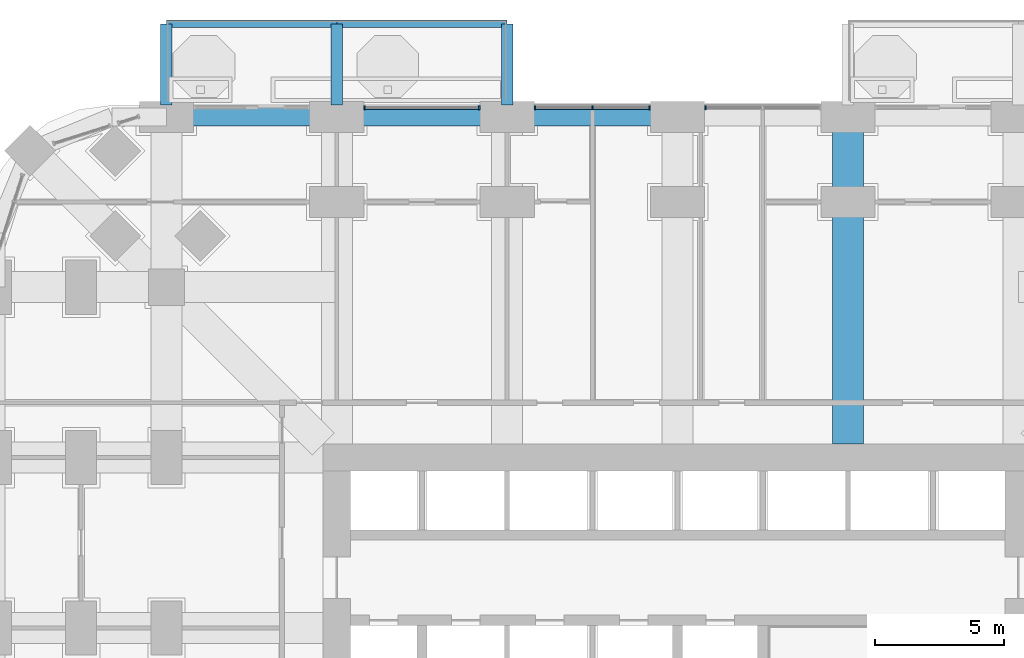
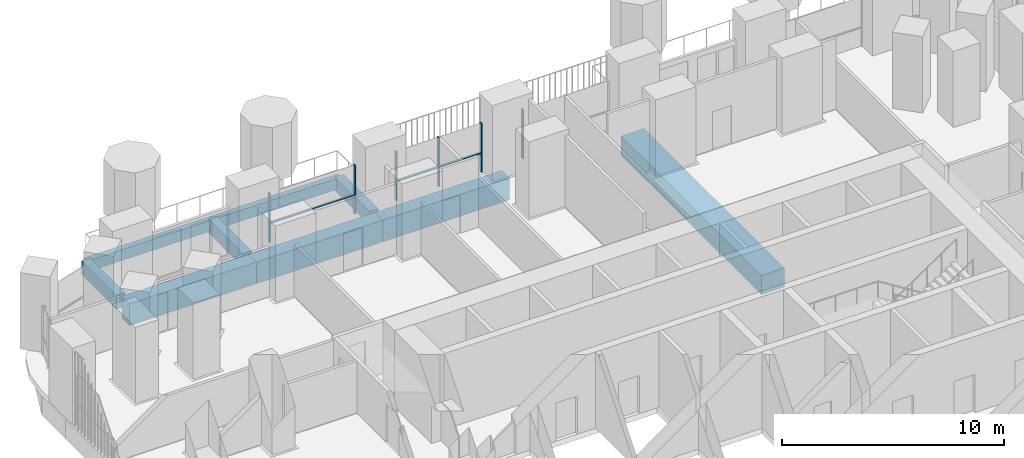
# One storey, part 8 of 27: 9 beams, 9 members, 3 elements without a shape of their own.
"""IFC4 building model written with IfcOpenShell, lengths in metres."""

from ifc_helpers import new_model, si_unit, direction, frame, origin, origin_2d, place, context, subcontext, project, spatial, rectangle, extrude, material, material_profile, profile_set, type_object, element, aggregate, save


model = new_model("IFC4")

# Units and contexts
model_context = context("Model", 3, precision=1e-05, world=origin(), true_north=direction((0.0, 1.0)))
body_context = subcontext(model_context, "Body", "Model", "MODEL_VIEW")
ifc_project = project(units=[si_unit("LENGTHUNIT", "METRE"), si_unit("AREAUNIT", "SQUARE_METRE"), si_unit("VOLUMEUNIT", "CUBIC_METRE"), si_unit("PLANEANGLEUNIT", "RADIAN"), si_unit("MASSUNIT", "GRAM", prefix="KILO")], contexts=[model_context])

# Site, building, storey
site_placement = place(None, origin())
site = spatial("IfcSite", under=ifc_project, at=site_placement, CompositionType="ELEMENT")
building_placement = place(site_placement, origin())
building = spatial("IfcBuilding", under=site, at=building_placement, Name="Cobogo Forest Laboratory Tower", CompositionType="ELEMENT")
storey_placement = place(building_placement, frame((0.0, 0.0, 29.699951171875)))
storey = spatial("IfcBuildingStorey", under=building, at=storey_placement, Name="L06", CompositionType="ELEMENT", Elevation=29.699951171875)

# Beams
ifc_material_1 = material(Name="Concrete HA-40 (C40/50)", Category="concrete")
ifc_material_profile_1 = material_profile(ifc_material_1, rectangle(XDim=0.449951171875, YDim=0.75, at=origin_2d()), Name="RC 450x750")
ifc_profile_set_1 = profile_set([ifc_material_profile_1], Name="Concrete HA-40 (C40/50)")
beam_type_1 = type_object("IfcBeamType", Name="Balcony cantilever beam 450x750", PredefinedType="BEAM", material=ifc_profile_set_1)
for number, where, z_axis, x_axis, name in (
    (1, (6.60009765625, 46.64990234375, -0.625), (0.0, 1.0, 0.0), (-1.0, 0.0, 0.0), "CB1 BAL-N1-C1 L06"),
    (2, (13.199951171875, 46.64990234375, -0.625), (0.0, 1.0, 0.0), (-1.0, 0.0, 0.0), "CB1 BAL-N1-C2 L06"),
    (3, (19.800048828125, 46.64990234375, -0.625), (0.0, 1.0, 0.0), (-1.0, 0.0, 0.0), "CB1 BAL-N1-C3 L06"),
):
    element("IfcBeam", number, at=place(storey_placement, frame(where, z_axis=z_axis, x_axis=x_axis)), inside=storey, type_object=beam_type_1, Name=name, PredefinedType="BEAM", context=body_context, shape_type="SweptSolid", body=[
        extrude(rectangle(XDim=0.449951171875, YDim=0.75, at=origin_2d()), origin(), (0.0, 0.0, 1.0), 3.150146484375),
    ])
ifc_material_profile_2 = material_profile(ifc_material_1, rectangle(XDim=0.300048828125, YDim=0.60009765625, at=origin_2d()), Name="RC 300x600")
ifc_profile_set_2 = profile_set([ifc_material_profile_2], Name="Concrete HA-40 (C40/50)")
beam_type_2 = type_object("IfcBeamType", Name="Balcony edge beam 300x600", PredefinedType="BEAM", material=ifc_profile_set_2)
beam_1_placement = place(storey_placement, frame((6.60009765625, 49.800048828125, -0.550048828125), z_axis=(1.0, 0.0, 0.0), x_axis=(0.0, 1.0, 0.0)))
element("IfcBeam", 4, at=beam_1_placement, inside=storey, type_object=beam_type_2, Name="BB1 BAL-N1-T1 L06", PredefinedType="BEAM", context=body_context, shape_type="SweptSolid", body=[
    extrude(rectangle(XDim=0.300048828125, YDim=0.60009765625, at=origin_2d()), origin(), (0.0, 0.0, 1.0), 6.599853515625),
])
beam_2_placement = place(storey_placement, frame((13.199951171875, 49.800048828125, -0.550048828125), z_axis=(1.0, 0.0, 0.0), x_axis=(0.0, 1.0, 0.0)))
element("IfcBeam", 5, at=beam_2_placement, inside=storey, type_object=beam_type_2, Name="BB1 BAL-N1-T2 L06", PredefinedType="BEAM", context=body_context, shape_type="SweptSolid", body=[
    extrude(rectangle(XDim=0.300048828125, YDim=0.60009765625, at=origin_2d()), origin(), (0.0, 0.0, 1.0), 6.60009765625),
])
ifc_material_profile_3 = material_profile(ifc_material_1, rectangle(XDim=1.199951171875, YDim=1.050048828125, at=origin_2d()), Name="RC 1200x1050")
ifc_profile_set_3 = profile_set([ifc_material_profile_3], Name="Concrete HA-40 (C40/50)")
beam_type_3 = type_object("IfcBeamType", Name="Laboratory floor wide beam 1200x1050", PredefinedType="BEAM", material=ifc_profile_set_3)
beam_3_placement = place(storey_placement, frame((33.0, 33.52490234375, -0.824951171875), z_axis=(0.0, 1.0, 0.0), x_axis=(-1.0, 0.0, 0.0)))
element("IfcBeam", 6, at=beam_3_placement, inside=storey, type_object=beam_type_3, Name="RB1 R-6-N L06", PredefinedType="BEAM", context=body_context, shape_type="SweptSolid", body=[
    extrude(rectangle(XDim=1.199951171875, YDim=1.050048828125, at=origin_2d()), origin(), (0.0, 0.0, 1.0), 12.675048828125),
])

# Curtain wall, member
ifc_material_2 = material(Name="Aluminium curtain wall", Category="aluminium")
curtain_wall_type = type_object("IfcCurtainWallType", Name="CW-1 unitised curtain wall, clear glazing, laboratory floors zones A and B", PredefinedType="USERDEFINED", material=ifc_material_2)
curtain_wall_1_placement = place(storey_placement, origin())
curtain_wall_1 = element("IfcCurtainWall", 7, at=curtain_wall_1_placement, inside=storey, type_object=curtain_wall_type, Name="Curtain wall 20 L06", ObjectType="UNITISED CURTAIN WALL", PredefinedType="USERDEFINED")
ifc_material_3 = material(Name="Aluminium mullion", Category="aluminium")
ifc_material_profile_4 = material_profile(ifc_material_3, rectangle(XDim=0.06005859375, YDim=0.159912109375, at=origin_2d()), Name="AL 60x160")
ifc_profile_set_4 = profile_set([ifc_material_profile_4], Name="Aluminium mullion")
member_type_1 = type_object("IfcMemberType", Name="MU-1 aluminium mullion 60x160", PredefinedType="MULLION", material=ifc_profile_set_4)
member_1_placement = place(storey_placement, frame((27.47998046875, 46.550048828125, 0.0), z_axis=(0.0, 0.0, 1.0), x_axis=(-1.0, 0.0, 0.0)))
member_1 = element("IfcMember", 8, at=member_1_placement, type_object=member_type_1, Name="CW-1 mullion 3", PredefinedType="MULLION", context=body_context, shape_type="SweptSolid", body=[
    extrude(rectangle(XDim=0.06005859375, YDim=0.159912109375, at=origin_2d()), origin(), (0.0, 0.0, 1.0), 2.699951171875),
])
aggregate(curtain_wall_1, [member_1])

# Curtain wall, members
curtain_wall_2_placement = place(storey_placement, origin())
curtain_wall_2 = element("IfcCurtainWall", 9, at=curtain_wall_2_placement, inside=storey, type_object=curtain_wall_type, Name="Curtain wall 21 L06", ObjectType="UNITISED CURTAIN WALL", PredefinedType="USERDEFINED")
member_2_placement = place(storey_placement, frame((25.320068359375, 46.550048828125, 0.0), z_axis=(0.0, 0.0, 1.0), x_axis=(-1.0, 0.0, 0.0)))
member_2 = element("IfcMember", 10, at=member_2_placement, type_object=member_type_1, Name="CW-1 mullion 1", PredefinedType="MULLION", context=body_context, shape_type="SweptSolid", body=[
    extrude(rectangle(XDim=0.06005859375, YDim=0.159912109375, at=origin_2d()), origin(), (0.0, 0.0, 1.0), 2.699951171875),
])
member_3_placement = place(storey_placement, frame((23.10009765625, 46.550048828125, 0.0), z_axis=(0.0, 0.0, 1.0), x_axis=(-1.0, 0.0, 0.0)))
member_3 = element("IfcMember", 11, at=member_3_placement, type_object=member_type_1, Name="CW-1 mullion 2", PredefinedType="MULLION", context=body_context, shape_type="SweptSolid", body=[
    extrude(rectangle(XDim=0.06005859375, YDim=0.159912109375, at=origin_2d()), origin(), (0.0, 0.0, 1.0), 2.699951171875),
])
member_4_placement = place(storey_placement, frame((20.8798828125, 46.550048828125, 0.0), z_axis=(0.0, 0.0, 1.0), x_axis=(-1.0, 0.0, 0.0)))
member_4 = element("IfcMember", 12, at=member_4_placement, type_object=member_type_1, Name="CW-1 mullion 3", PredefinedType="MULLION", context=body_context, shape_type="SweptSolid", body=[
    extrude(rectangle(XDim=0.06005859375, YDim=0.159912109375, at=origin_2d()), origin(), (0.0, 0.0, 1.0), 2.699951171875),
])

curtain_wall_3_placement = place(storey_placement, origin())
curtain_wall_3 = element("IfcCurtainWall", 13, at=curtain_wall_3_placement, inside=storey, type_object=curtain_wall_type, Name="Curtain wall 22 L06", ObjectType="UNITISED CURTAIN WALL", PredefinedType="USERDEFINED")
member_5_placement = place(storey_placement, frame((18.719970703125, 46.550048828125, 0.0), z_axis=(0.0, 0.0, 1.0), x_axis=(-1.0, 0.0, 0.0)))
member_5 = element("IfcMember", 14, at=member_5_placement, type_object=member_type_1, Name="CW-1 mullion 1", PredefinedType="MULLION", context=body_context, shape_type="SweptSolid", body=[
    extrude(rectangle(XDim=0.06005859375, YDim=0.159912109375, at=origin_2d()), origin(), (0.0, 0.0, 1.0), 2.699951171875),
])
member_6_placement = place(storey_placement, frame((14.280029296875, 46.550048828125, 0.0), z_axis=(0.0, 0.0, 1.0), x_axis=(-1.0, 0.0, 0.0)))
member_6 = element("IfcMember", 15, at=member_6_placement, type_object=member_type_1, Name="CW-1 mullion 2", PredefinedType="MULLION", context=body_context, shape_type="SweptSolid", body=[
    extrude(rectangle(XDim=0.06005859375, YDim=0.159912109375, at=origin_2d()), origin(), (0.0, 0.0, 1.0), 2.699951171875),
])

# Beams
ifc_material_profile_5 = material_profile(ifc_material_1, rectangle(XDim=0.699951171875, YDim=1.199951171875, at=origin_2d()), Name="RC 700x1200")
ifc_profile_set_5 = profile_set([ifc_material_profile_5], Name="Concrete HA-40 (C40/50)")
beam_type_4 = type_object("IfcBeamType", Name="Perimeter edge beam 700x1200", PredefinedType="BEAM", material=ifc_profile_set_5)
beam_4_placement = place(storey_placement, frame((6.60009765625, 46.199951171875, -0.89990234375), z_axis=(1.0, 0.0, 0.0), x_axis=(0.0, 1.0, 0.0)))
element("IfcBeam", 16, at=beam_4_placement, inside=storey, type_object=beam_type_4, Name="EB1 E-N1 L06", PredefinedType="BEAM", context=body_context, shape_type="SweptSolid", body=[
    extrude(rectangle(XDim=0.699951171875, YDim=1.199951171875, at=origin_2d()), origin(), (0.0, 0.0, 1.0), 6.599853515625),
])
beam_5_placement = place(storey_placement, frame((13.199951171875, 46.199951171875, -0.89990234375), z_axis=(1.0, 0.0, 0.0), x_axis=(0.0, 1.0, 0.0)))
element("IfcBeam", 17, at=beam_5_placement, inside=storey, type_object=beam_type_4, Name="EB1 E-N2 L06", PredefinedType="BEAM", context=body_context, shape_type="SweptSolid", body=[
    extrude(rectangle(XDim=0.699951171875, YDim=1.199951171875, at=origin_2d()), origin(), (0.0, 0.0, 1.0), 6.60009765625),
])
beam_6_placement = place(storey_placement, frame((19.800048828125, 46.199951171875, -0.89990234375), z_axis=(1.0, 0.0, 0.0), x_axis=(0.0, 1.0, 0.0)))
element("IfcBeam", 18, at=beam_6_placement, inside=storey, type_object=beam_type_4, Name="EB1 E-N3 L06", PredefinedType="BEAM", context=body_context, shape_type="SweptSolid", body=[
    extrude(rectangle(XDim=0.699951171875, YDim=1.199951171875, at=origin_2d()), origin(), (0.0, 0.0, 1.0), 6.599853515625),
])

# Member
ifc_material_4 = material(Name="Aluminium transom", Category="aluminium")
ifc_material_profile_6 = material_profile(ifc_material_4, rectangle(XDim=0.1201171875, YDim=0.06005859375, at=origin_2d()), Name="AL 60x120")
ifc_profile_set_6 = profile_set([ifc_material_profile_6], Name="Aluminium transom")
member_type_2 = type_object("IfcMemberType", Name="TR-1 aluminium transom 60x120", PredefinedType="USERDEFINED", material=ifc_profile_set_6)
member_7_placement = place(storey_placement, frame((25.2900390625, 46.550048828125, 1.050048828125), z_axis=(-1.0, 0.0, 0.0), x_axis=(0.0, -1.0, 0.0)))
member_7 = element("IfcMember", 19, at=member_7_placement, type_object=member_type_2, Name="CW-1 transom 1.1", ObjectType="TRANSOM", PredefinedType="USERDEFINED", context=body_context, shape_type="SweptSolid", body=[
    extrude(rectangle(XDim=0.1201171875, YDim=0.06005859375, at=origin_2d()), origin(), (0.0, 0.0, 1.0), 2.16015625),
])

member_8_placement = place(storey_placement, frame((23.070068359375, 46.550048828125, 1.050048828125), z_axis=(-1.0, 0.0, 0.0), x_axis=(0.0, -1.0, 0.0)))
member_8 = element("IfcMember", 20, at=member_8_placement, type_object=member_type_2, Name="CW-1 transom 2.1", ObjectType="TRANSOM", PredefinedType="USERDEFINED", context=body_context, shape_type="SweptSolid", body=[
    extrude(rectangle(XDim=0.1201171875, YDim=0.06005859375, at=origin_2d()), origin(), (0.0, 0.0, 1.0), 2.16015625),
])

aggregate(curtain_wall_2, [member_2, member_3, member_4, member_7, member_8])

member_9_placement = place(storey_placement, frame((18.68994140625, 46.550048828125, 1.050048828125), z_axis=(-1.0, 0.0, 0.0), x_axis=(0.0, -1.0, 0.0)))
member_9 = element("IfcMember", 21, at=member_9_placement, type_object=member_type_2, Name="CW-1 transom 1.1", ObjectType="TRANSOM", PredefinedType="USERDEFINED", context=body_context, shape_type="SweptSolid", body=[
    extrude(rectangle(XDim=0.1201171875, YDim=0.06005859375, at=origin_2d()), origin(), (0.0, 0.0, 1.0), 4.3798828125),
])

aggregate(curtain_wall_3, [member_5, member_6, member_9])

save(model, "model.ifc")
